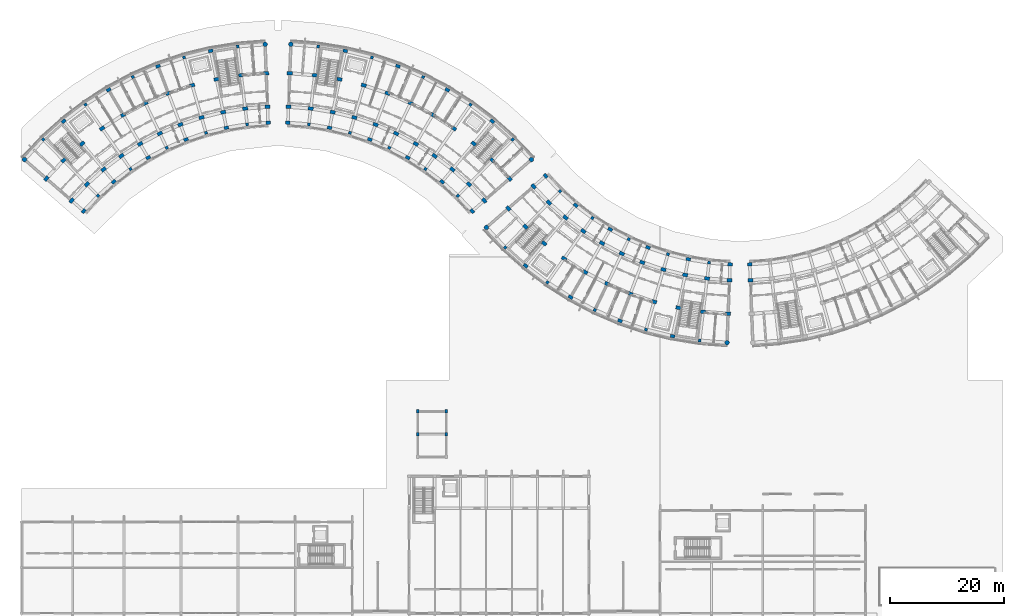
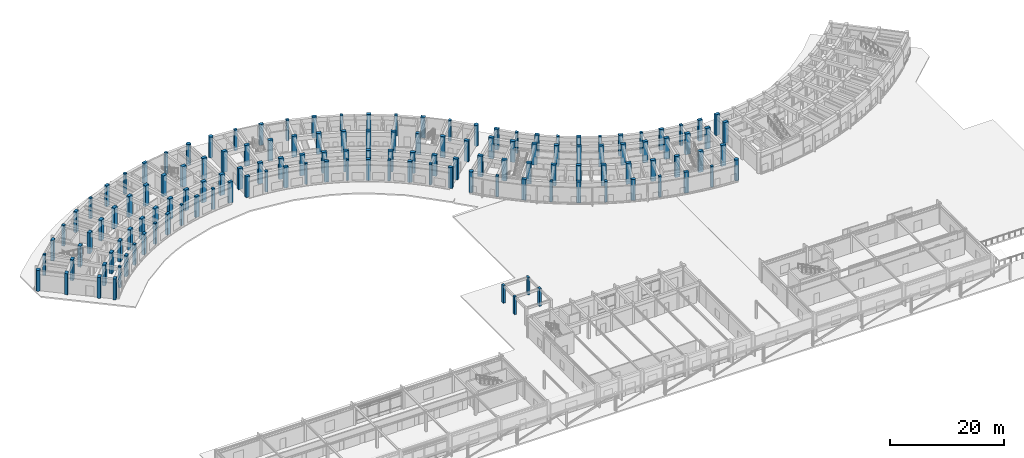
# One storey, part 6 of 61: 138 columns.
"""IFC4 building model written with IfcOpenShell, lengths in metres."""

import ifcopenshell
import ifcopenshell.guid

model = None  # the IFC model being written
_history = None  # IfcOwnerHistory: only IFC2X3 demands one
_inside = {}  # id of a spatial element -> (the spatial element, [elements in it])
_under = {}  # id of a project, library or spatial element -> (it, [spatial elements below it])
_declared = {}  # id of a project -> (the project, [libraries it declares])
_typed = {}  # id of a type object -> (the type object, [elements of that type])
_made_of = {}  # id of a material, layer set ... -> (it, [elements and type objects made of it])


def new_model(schema):
    """Start an empty IFC model of exactly this schema.

    Asked for "IFC4X3", IfcOpenShell would pick the latest addendum, in which some entities
    have other attributes; the version numbers below select the first issue.
    IFC2X3 requires an IfcOwnerHistory on every rooted entity: one is made here for all.
    """
    global model, _history
    if schema == "IFC4X3":
        model = ifcopenshell.file(schema_version=(4, 3, 0, 0))
    else:
        model = ifcopenshell.file(schema=schema)
    _inside.clear()
    _under.clear()
    _declared.clear()
    _typed.clear()
    _made_of.clear()
    _history = None
    if model.schema == "IFC2X3":
        org = make("IfcOrganization", Name="unknown")
        user = make(
            "IfcPersonAndOrganization",
            ThePerson=make("IfcPerson", FamilyName="unknown"),
            TheOrganization=org,
        )
        app = make(
            "IfcApplication",
            ApplicationDeveloper=org,
            Version="unknown",
            ApplicationFullName="unknown",
            ApplicationIdentifier="unknown",
        )
        _history = make(
            "IfcOwnerHistory",
            OwningUser=user,
            OwningApplication=app,
            ChangeAction="ADDED",
            CreationDate=0,
        )
    return model


def make(cls, **values):
    """One entity of the class cls with the attributes given. An attribute that is None is left unset."""
    return model.create_entity(
        cls, **{name: value for name, value in values.items() if value is not None}
    )


def rooted(cls, **values):
    """An entity with a GlobalId (a new one), such as an element, a storey or a relation."""
    return make(cls, GlobalId=ifcopenshell.guid.new(), OwnerHistory=_history, **values)


def si_unit(unit_type, name, prefix=None):
    """IfcSIUnit, for example si_unit("LENGTHUNIT", "METRE", prefix="MILLI")."""
    return make("IfcSIUnit", UnitType=unit_type, Prefix=prefix, Name=name)


def assignment(units):
    """IfcUnitAssignment: the units of a project."""
    return None if units is None else make("IfcUnitAssignment", Units=units)


def point(xyz):
    """IfcCartesianPoint."""
    return None if xyz is None else make("IfcCartesianPoint", Coordinates=xyz)


def direction(xyz):
    """IfcDirection."""
    return None if xyz is None else make("IfcDirection", DirectionRatios=xyz)


def frame(location, z_axis=None, x_axis=None):
    """IfcAxis2Placement3D, a coordinate frame: its origin and axes. An axis left out is left unset."""
    return make(
        "IfcAxis2Placement3D",
        Location=point(location),
        Axis=direction(z_axis),
        RefDirection=direction(x_axis),
    )


def frame_2d(location, x_axis=None):
    """IfcAxis2Placement2D, a coordinate frame in the plane: its origin and x axis."""
    return make(
        "IfcAxis2Placement2D", Location=point(location), RefDirection=direction(x_axis)
    )


def origin():
    """The frame at (0, 0, 0) with its axes left unset."""
    return frame((0.0, 0.0, 0.0))


def origin_2d():
    """The frame at (0, 0) in the plane with its x axis left unset."""
    return frame_2d((0.0, 0.0))


def place(relative_to, where):
    """IfcLocalPlacement: puts the frame where relative to a parent placement (None: the world)."""
    return make(
        "IfcLocalPlacement", PlacementRelTo=relative_to, RelativePlacement=where
    )


def context(
    kind, dimensions, precision=None, world=None, true_north=None, identifier=None
):
    """IfcGeometricRepresentationContext, for example the 3D "Model" context."""
    return make(
        "IfcGeometricRepresentationContext",
        ContextIdentifier=identifier,
        ContextType=kind,
        CoordinateSpaceDimension=dimensions,
        Precision=precision,
        WorldCoordinateSystem=world,
        TrueNorth=true_north,
    )


def subcontext(parent, identifier, kind, view, scale=None):
    """IfcGeometricRepresentationSubContext, for example "Body" below "Model"."""
    return make(
        "IfcGeometricRepresentationSubContext",
        ContextIdentifier=identifier,
        ContextType=kind,
        ParentContext=parent,
        TargetScale=scale,
        TargetView=view,
    )


def project(units=None, contexts=None):
    """IfcProject with its units and contexts."""
    return rooted(
        "IfcProject",
        Name="project",
        RepresentationContexts=contexts,
        UnitsInContext=assignment(units),
    )


def spatial(cls, under=None, at=None, **own):
    """A site, building, storey or space (cls), placed at a placement, below another one or the project."""
    s = rooted(cls, ObjectPlacement=at, **own)
    if under is not None:
        _under.setdefault(under.id(), (under, []))[1].append(s)
    return s


def profile(cls, at=None, kind="AREA", **sizes):
    """A parametric profile (cls). Its sizes go by their IFC names, for example OverallWidth=200.0."""
    return make(cls, ProfileType=kind, Position=at, **sizes)


def rectangle(**sizes):
    """IfcRectangleProfileDef."""
    return profile("IfcRectangleProfileDef", **sizes)


def circle(**sizes):
    """IfcCircleProfileDef."""
    return profile("IfcCircleProfileDef", **sizes)


def extrude(swept, where, along, depth):
    """IfcExtrudedAreaSolid: the profile swept, set in the frame where, extruded along a direction by depth."""
    return make(
        "IfcExtrudedAreaSolid",
        SweptArea=swept,
        Position=where,
        ExtrudedDirection=direction(along),
        Depth=depth,
    )


def shape(context_of_items, identifier, shape_type, items):
    """IfcShapeRepresentation: the items that make up one representation, for example the "Body"."""
    return make(
        "IfcShapeRepresentation",
        ContextOfItems=context_of_items,
        RepresentationIdentifier=identifier,
        RepresentationType=shape_type,
        Items=items,
    )


def material(Name=None, Category=None):
    """IfcMaterial."""
    return make("IfcMaterial", Name=Name, Category=Category)


def material_profile(
    of_material, cross_section, Name=None, Category=None, Priority=None
):
    """IfcMaterialProfile: a cross section and its material."""
    return make(
        "IfcMaterialProfile",
        Name=Name,
        Material=of_material,
        Profile=cross_section,
        Priority=Priority,
        Category=Category,
    )


def profile_set(profiles, Name=None, composite=None):
    """IfcMaterialProfileSet."""
    return make(
        "IfcMaterialProfileSet",
        Name=Name,
        MaterialProfiles=profiles,
        CompositeProfile=composite,
    )


def made_of(thing, what):
    """Note that an element or type object is made of a material, layer set ...; save() writes the relation."""
    if what is not None:
        _made_of.setdefault(what.id(), (what, []))[1].append(thing)
    return thing


def type_object(cls, material=None, **own):
    """A type object (cls), such as IfcWallType, which elements share."""
    return made_of(rooted(cls, **own), material)


def element(
    cls,
    number,
    at=None,
    inside=None,
    cuts=None,
    type_object=None,
    material=None,
    context=None,
    identifier="Body",
    shape_type=None,
    held_by="IfcProductDefinitionShape",
    body=None,
    shapes=None,
    **own,
):
    """One element of the class cls, such as IfcWall. Its Tag is "e" and its number.

    at: its placement. inside: the storey or other place that contains it. cuts: it is an
    opening in that element (IfcRelVoidsElement). A single representation is given by context,
    identifier, shape_type and body (its items); several are given by shapes. held_by: the class
    of the entity that holds the representations. save() writes the other relations.
    """
    e = rooted(cls, Tag="e%d" % number, ObjectPlacement=at, **own)
    if body is not None:
        shapes = [shape(context, identifier, shape_type, body)]
    if shapes is not None:
        e.Representation = make(held_by, Representations=shapes)
    if inside is not None:
        _inside.setdefault(inside.id(), (inside, []))[1].append(e)
    if cuts is not None:
        rooted(
            "IfcRelVoidsElement", RelatingBuildingElement=cuts, RelatedOpeningElement=e
        )
    if type_object is not None:
        _typed.setdefault(type_object.id(), (type_object, []))[1].append(e)
    return made_of(e, material)


def aggregate(whole, parts):
    """IfcRelAggregates: a whole, such as a stair, and the parts it consists of."""
    return rooted("IfcRelAggregates", RelatingObject=whole, RelatedObjects=parts)


def save(model, path):
    """Write the relations noted so far, then the file.

    IfcRelAggregates (storeys below a building ...), IfcRelContainedInSpatialStructure (elements
    in a storey), IfcRelDefinesByType, IfcRelAssociatesMaterial and IfcRelDeclares: one each for
    every whole, place, type object, material and project.
    """
    for whole, parts in _under.values():
        aggregate(whole, parts)
    for where, things in _inside.values():
        rooted(
            "IfcRelContainedInSpatialStructure",
            RelatedElements=things,
            RelatingStructure=where,
        )
    for kind, things in _typed.values():
        rooted("IfcRelDefinesByType", RelatedObjects=things, RelatingType=kind)
    for what, things in _made_of.values():
        rooted("IfcRelAssociatesMaterial", RelatedObjects=things, RelatingMaterial=what)
    for by, libraries in _declared.values():
        rooted("IfcRelDeclares", RelatingContext=by, RelatedDefinitions=libraries)
    model.write(path)


model = new_model("IFC4")

# Units and contexts
model_context = context("Model", 3, precision=1e-05, world=origin(), true_north=direction((0.0, 1.0)))
body_context = subcontext(model_context, "Body", "Model", "MODEL_VIEW")
ifc_project = project(units=[si_unit("LENGTHUNIT", "METRE"), si_unit("AREAUNIT", "SQUARE_METRE"), si_unit("VOLUMEUNIT", "CUBIC_METRE"), si_unit("PLANEANGLEUNIT", "RADIAN"), si_unit("MASSUNIT", "GRAM", prefix="KILO")], contexts=[model_context])

# Site, building, storey
site_placement = place(None, origin())
site = spatial("IfcSite", under=ifc_project, at=site_placement, CompositionType="ELEMENT")
building_placement = place(site_placement, origin())
building = spatial("IfcBuilding", under=site, at=building_placement, Name="Zimvara Arc Housing Community", CompositionType="ELEMENT")
storey_placement = place(building_placement, origin())
storey = spatial("IfcBuildingStorey", under=building, at=storey_placement, Name="L00", CompositionType="ELEMENT", Elevation=0.0)

# Columns
ifc_material_1 = material(Name="Concrete C40/50", Category="concrete")
ifc_material_profile_1 = material_profile(ifc_material_1, rectangle(XDim=0.5, YDim=0.5, at=origin_2d()), Name="RC 500x500")
ifc_profile_set_1 = profile_set([ifc_material_profile_1], Name="Concrete C40/50")
column_type_1 = type_object("IfcColumnType", Name="COL-RC-500x500", PredefinedType="COLUMN", material=ifc_profile_set_1)
for number, where, z_axis, x_axis, name in (
    (1, (13.476318359375, 76.781005859375, 0.0), (0.0, 0.0, 1.0), (-0.698665066769, 0.715448897181, 0.0), "col:blkA:L00:b1:r0"),
    (2, (3.862548828125, 86.625732421875, 0.0), (0.0, 0.0, 1.0), (-0.698665066769, 0.715448897181, 0.0), "col:blkA:L00:b1:r3"),
    (3, (19.14599609375, 81.478271484375, 0.0), (0.0, 0.0, 1.0), (-0.573004420611, 0.819552276527, 0.0), "col:blkA:L00:b3:r0"),
    (4, (11.261474609375, 92.755126953125, 0.0), (0.0, 0.0, 1.0), (-0.573004420611, 0.819552276527, 0.0), "col:blkA:L00:b3:r3"),
    (5, (25.50439453125, 85.190673828125, 0.0), (0.0, 0.0, 1.0), (-0.432085748802, 0.901832526405, 0.0), "col:blkA:L00:b5:r0"),
    (6, (19.558837890625, 97.599853515625, 0.0), (0.0, 0.0, 1.0), (-0.432085748802, 0.901832526405, 0.0), "col:blkA:L00:b5:r3"),
    (7, (32.381591796875, 87.819580078125, 0.0), (0.0, 0.0, 1.0), (-0.27966144946, 0.96009867914, 0.0), "col:blkA:L00:b7:r0"),
    (8, (28.533447265625, 101.030517578125, 0.0), (0.0, 0.0, 1.0), (-0.27966144946, 0.96009867914, 0.0), "col:blkA:L00:b7:r3"),
    (9, (39.594970703125, 89.295166015625, 0.0), (0.0, 0.0, 1.0), (-0.119790293837, 0.992799217114, 0.0), "col:blkA:L00:b9:r0"),
    (10, (37.94677734375, 102.9560546875, 0.0), (0.0, 0.0, 1.0), (-0.119790293837, 0.992799217114, 0.0), "col:blkA:L00:b9:r3"),
    (11, (50.405029296875, 89.295166015625, 0.0), (0.0, 0.0, 1.0), (0.119790293837, 0.992799217114, 0.0), "col:blkB:L00:b1:r0"),
    (12, (52.05322265625, 102.9560546875, 0.0), (0.0, 0.0, 1.0), (0.119790293837, 0.992799217114, 0.0), "col:blkB:L00:b1:r3"),
    (13, (57.618408203125, 87.819580078125, 0.0), (0.0, 0.0, 1.0), (0.27966144946, 0.96009867914, 0.0), "col:blkB:L00:b3:r0"),
    (14, (61.466552734375, 101.030517578125, 0.0), (0.0, 0.0, 1.0), (0.27966144946, 0.96009867914, 0.0), "col:blkB:L00:b3:r3"),
    (15, (64.49560546875, 85.190673828125, 0.0), (0.0, 0.0, 1.0), (0.432085748802, 0.901832526405, 0.0), "col:blkB:L00:b5:r0"),
    (16, (70.441162109375, 97.599853515625, 0.0), (0.0, 0.0, 1.0), (0.432085748802, 0.901832526405, 0.0), "col:blkB:L00:b5:r3"),
    (17, (70.85400390625, 81.478271484375, 0.0), (0.0, 0.0, 1.0), (0.573004420611, 0.819552276527, 0.0), "col:blkB:L00:b7:r0"),
    (18, (78.738525390625, 92.755126953125, 0.0), (0.0, 0.0, 1.0), (0.573004420611, 0.819552276527, 0.0), "col:blkB:L00:b7:r3"),
    (19, (76.523681640625, 76.781005859375, 0.0), (0.0, 0.0, 1.0), (0.698665066769, 0.715448897181, 0.0), "col:blkB:L00:b9:r0"),
    (20, (86.137451171875, 86.625732421875, 0.0), (0.0, 0.0, 1.0), (0.698665066769, 0.715448897181, 0.0), "col:blkB:L00:b9:r3"),
    (21, (94.456298828125, 77.578857421875, 0.0), (0.0, 0.0, 1.0), (-0.698665066769, -0.715448897181, 0.0), "col:blkC:L00:b1:r0"),
    (22, (84.842529296875, 67.734375, 0.0), (0.0, 0.0, 1.0), (-0.698665066769, -0.715448897181, 0.0), "col:blkC:L00:b1:r3"),
    (23, (100.1259765625, 72.8818359375, 0.0), (0.0, 0.0, 1.0), (-0.573004420611, -0.819552276527, 0.0), "col:blkC:L00:b3:r0"),
    (24, (92.241455078125, 61.604736328125, 0.0), (0.0, 0.0, 1.0), (-0.573004420611, -0.819552276527, 0.0), "col:blkC:L00:b3:r3"),
    (25, (106.484375, 69.16943359375, 0.0), (0.0, 0.0, 1.0), (-0.432085748802, -0.901832526405, 0.0), "col:blkC:L00:b5:r0"),
    (26, (100.538818359375, 56.760009765625, 0.0), (0.0, 0.0, 1.0), (-0.432085748802, -0.901832526405, 0.0), "col:blkC:L00:b5:r3"),
    (27, (113.361572265625, 66.540283203125, 0.0), (0.0, 0.0, 1.0), (-0.27966144946, -0.96009867914, 0.0), "col:blkC:L00:b7:r0"),
    (28, (109.513427734375, 53.329345703125, 0.0), (0.0, 0.0, 1.0), (-0.27966144946, -0.96009867914, 0.0), "col:blkC:L00:b7:r3"),
    (29, (120.574951171875, 65.06494140625, 0.0), (0.0, 0.0, 1.0), (-0.119790293837, -0.992799217114, 0.0), "col:blkC:L00:b9:r0"),
    (30, (118.9267578125, 51.404052734375, 0.0), (0.0, 0.0, 1.0), (-0.119790293837, -0.992799217114, 0.0), "col:blkC:L00:b9:r3"),
):
    element("IfcColumn", number, at=place(storey_placement, frame(where, z_axis=z_axis, x_axis=x_axis)), inside=storey, type_object=column_type_1, Name=name, PredefinedType="COLUMN", context=body_context, shape_type="SweptSolid", body=[
        extrude(rectangle(XDim=0.5, YDim=0.5, at=origin_2d()), origin(), (0.0, 0.0, 1.0), 4.5),
    ])
ifc_material_2 = material(Name="Concrete C40/50", Category="concrete")
ifc_material_profile_2 = material_profile(ifc_material_2, rectangle(XDim=0.550048828125, YDim=0.800048828125, at=origin_2d()), Name="RC 550x800")
ifc_profile_set_2 = profile_set([ifc_material_profile_2], Name="Concrete C40/50")
column_type_2 = type_object("IfcColumnType", Name="COL-RC-550x800", PredefinedType="COLUMN", material=ifc_profile_set_2)
for number, where, z_axis, x_axis, name in (
    (31, (10.947509765625, 74.101318359375, 0.0), (0.0, 0.0, 1.0), (-0.754709580223, 0.656059028991, 0.0), "col:blkA:L00:b0:r0"),
    (32, (16.215087890625, 79.245361328125, 0.0), (0.0, 0.0, 1.0), (-0.637961754089, 0.770068049148, 0.0), "col:blkA:L00:b2:r0"),
    (33, (7.436767578125, 89.841552734375, 0.0), (0.0, 0.0, 1.0), (-0.637961754089, 0.770068049148, 0.0), "col:blkA:L00:b2:r3"),
    (34, (22.249267578125, 83.46435546875, 0.0), (0.0, 0.0, 1.0), (-0.504226211181, 0.863571611366, 0.0), "col:blkA:L00:b4:r0"),
    (35, (15.311279296875, 95.34716796875, 0.0), (0.0, 0.0, 1.0), (-0.504226211181, 0.863571611366, 0.0), "col:blkA:L00:b4:r3"),
    (36, (28.88916015625, 86.645751953125, 0.0), (0.0, 0.0, 1.0), (-0.357064076459, 0.934079892355, 0.0), "col:blkA:L00:b6:r0"),
    (37, (23.97607421875, 99.49853515625, 0.0), (0.0, 0.0, 1.0), (-0.357064076459, 0.934079892355, 0.0), "col:blkA:L00:b6:r3"),
    (38, (35.958251953125, 88.704833984375, 0.0), (0.0, 0.0, 1.0), (-0.200393999665, 0.979715389742, 0.0), "col:blkA:L00:b8:r0"),
    (39, (33.20068359375, 102.185546875, 0.0), (0.0, 0.0, 1.0), (-0.200393999665, 0.979715389742, 0.0), "col:blkA:L00:b8:r3"),
    (40, (43.267822265625, 89.586669921875, 0.0), (0.0, 0.0, 1.0), (-0.038387809088, 0.999262916411, 0.0), "col:blkA:L00:b10:r0"),
    (41, (46.732177734375, 89.586669921875, 0.0), (0.0, 0.0, 1.0), (0.038387809088, 0.999262916411, 0.0), "col:blkB:L00:b0:r0"),
    (42, (54.041748046875, 88.704833984375, 0.0), (0.0, 0.0, 1.0), (0.200393999665, 0.979715389742, 0.0), "col:blkB:L00:b2:r0"),
    (43, (56.79931640625, 102.185546875, 0.0), (0.0, 0.0, 1.0), (0.200393999665, 0.979715389742, 0.0), "col:blkB:L00:b2:r3"),
    (44, (61.11083984375, 86.645751953125, 0.0), (0.0, 0.0, 1.0), (0.357064076459, 0.934079892355, 0.0), "col:blkB:L00:b4:r0"),
    (45, (66.02392578125, 99.49853515625, 0.0), (0.0, 0.0, 1.0), (0.357064076459, 0.934079892355, 0.0), "col:blkB:L00:b4:r3"),
    (46, (67.750732421875, 83.46435546875, 0.0), (0.0, 0.0, 1.0), (0.504226211181, 0.863571611366, 0.0), "col:blkB:L00:b6:r0"),
    (47, (74.688720703125, 95.34716796875, 0.0), (0.0, 0.0, 1.0), (0.504226211181, 0.863571611366, 0.0), "col:blkB:L00:b6:r3"),
    (48, (73.784912109375, 79.245361328125, 0.0), (0.0, 0.0, 1.0), (0.637961754089, 0.770068049148, 0.0), "col:blkB:L00:b8:r0"),
    (49, (82.563232421875, 89.841552734375, 0.0), (0.0, 0.0, 1.0), (0.637961754089, 0.770068049148, 0.0), "col:blkB:L00:b8:r3"),
    (50, (79.052490234375, 74.101318359375, 0.0), (0.0, 0.0, 1.0), (0.754709580223, 0.656059028991, 0.0), "col:blkB:L00:b10:r0"),
    (51, (91.927490234375, 80.258544921875, 0.0), (0.0, 0.0, 1.0), (-0.754709580223, -0.656059028991, 0.0), "col:blkC:L00:b0:r0"),
    (52, (97.195068359375, 75.114501953125, 0.0), (0.0, 0.0, 1.0), (-0.637961754089, -0.770068049148, 0.0), "col:blkC:L00:b2:r0"),
    (53, (88.416748046875, 64.518310546875, 0.0), (0.0, 0.0, 1.0), (-0.637961754089, -0.770068049148, 0.0), "col:blkC:L00:b2:r3"),
    (54, (103.229248046875, 70.895751953125, 0.0), (0.0, 0.0, 1.0), (-0.504226211181, -0.863571611366, 0.0), "col:blkC:L00:b4:r0"),
    (55, (96.291259765625, 59.012939453125, 0.0), (0.0, 0.0, 1.0), (-0.504226211181, -0.863571611366, 0.0), "col:blkC:L00:b4:r3"),
    (56, (109.869384765625, 67.71435546875, 0.0), (0.0, 0.0, 1.0), (-0.357064076459, -0.934079892355, 0.0), "col:blkC:L00:b6:r0"),
    (57, (104.9560546875, 54.861328125, 0.0), (0.0, 0.0, 1.0), (-0.357064076459, -0.934079892355, 0.0), "col:blkC:L00:b6:r3"),
    (58, (116.938232421875, 65.6552734375, 0.0), (0.0, 0.0, 1.0), (-0.200393999665, -0.979715389742, 0.0), "col:blkC:L00:b8:r0"),
    (59, (114.180908203125, 52.17431640625, 0.0), (0.0, 0.0, 1.0), (-0.200393999665, -0.979715389742, 0.0), "col:blkC:L00:b8:r3"),
    (60, (124.248046875, 64.773193359375, 0.0), (0.0, 0.0, 1.0), (-0.038387809088, -0.999262916411, 0.0), "col:blkC:L00:b10:r0"),
    (61, (127.712158203125, 64.773193359375, 0.0), (0.0, 0.0, 1.0), (0.038387809088, -0.999262916411, 0.0), "col:blkD:L00:b0:r0"),
):
    element("IfcColumn", number, at=place(storey_placement, frame(where, z_axis=z_axis, x_axis=x_axis)), inside=storey, type_object=column_type_2, Name=name, PredefinedType="COLUMN", context=body_context, shape_type="SweptSolid", body=[
        extrude(rectangle(XDim=0.550048828125, YDim=0.800048828125, at=origin_2d()), origin(), (0.0, 0.0, 1.0), 4.5),
    ])
ifc_material_3 = material(Name="Concrete C40/50", Category="concrete")
ifc_material_profile_3 = material_profile(ifc_material_3, rectangle(XDim=0.60009765625, YDim=0.89990234375, at=origin_2d()), Name="RC 600x900")
ifc_profile_set_3 = profile_set([ifc_material_profile_3], Name="Concrete C40/50")
column_type_3 = type_object("IfcColumnType", Name="COL-RC-600x900", PredefinedType="COLUMN", material=ifc_profile_set_3)
for number, where, z_axis, x_axis, name in (
    (62, (8.834228515625, 75.938232421875, 0.0), (0.0, 0.0, 1.0), (-0.754709580223, 0.656059028991, 0.0), "col:blkA:L00:b0:r1"),
    (63, (4.396728515625, 79.7958984375, 0.0), (0.0, 0.0, 1.0), (-0.754709580223, 0.656059028991, 0.0), "col:blkA:L00:b0:r2"),
    (64, (11.52001953125, 78.784423828125, 0.0), (0.0, 0.0, 1.0), (-0.698665066769, 0.715448897181, 0.0), "col:blkA:L00:b1:r1"),
    (65, (7.411865234375, 82.9912109375, 0.0), (0.0, 0.0, 1.0), (-0.698665066769, 0.715448897181, 0.0), "col:blkA:L00:b1:r2"),
    (66, (14.428955078125, 81.401611328125, 0.0), (0.0, 0.0, 1.0), (-0.637961754089, 0.770068049148, 0.0), "col:blkA:L00:b2:r1"),
    (67, (10.677734375, 85.9296875, 0.0), (0.0, 0.0, 1.0), (-0.637961754089, 0.770068049148, 0.0), "col:blkA:L00:b2:r2"),
    (68, (17.541748046875, 83.77294921875, 0.0), (0.0, 0.0, 1.0), (-0.573004420611, 0.819552276527, 0.0), "col:blkA:L00:b3:r1"),
    (69, (14.17236328125, 88.591796875, 0.0), (0.0, 0.0, 1.0), (-0.573004420611, 0.819552276527, 0.0), "col:blkA:L00:b3:r2"),
    (70, (20.83740234375, 85.88232421875, 0.0), (0.0, 0.0, 1.0), (-0.504226211181, 0.863571611366, 0.0), "col:blkA:L00:b4:r1"),
    (71, (17.87255859375, 90.960205078125, 0.0), (0.0, 0.0, 1.0), (-0.504226211181, 0.863571611366, 0.0), "col:blkA:L00:b4:r2"),
    (72, (24.29443359375, 87.7158203125, 0.0), (0.0, 0.0, 1.0), (-0.432085748802, 0.901832526405, 0.0), "col:blkA:L00:b5:r1"),
    (73, (21.75390625, 93.0185546875, 0.0), (0.0, 0.0, 1.0), (-0.432085748802, 0.901832526405, 0.0), "col:blkA:L00:b5:r2"),
    (74, (27.889404296875, 89.260986328125, 0.0), (0.0, 0.0, 1.0), (-0.357064076459, 0.934079892355, 0.0), "col:blkA:L00:b6:r1"),
    (75, (25.7900390625, 94.75341796875, 0.0), (0.0, 0.0, 1.0), (-0.357064076459, 0.934079892355, 0.0), "col:blkA:L00:b6:r2"),
    (76, (31.5986328125, 90.5078125, 0.0), (0.0, 0.0, 1.0), (-0.27966144946, 0.96009867914, 0.0), "col:blkA:L00:b7:r1"),
    (77, (29.9541015625, 96.1533203125, 0.0), (0.0, 0.0, 1.0), (-0.27966144946, 0.96009867914, 0.0), "col:blkA:L00:b7:r2"),
    (78, (35.397216796875, 91.447998046875, 0.0), (0.0, 0.0, 1.0), (-0.200393999665, 0.979715389742, 0.0), "col:blkA:L00:b8:r1"),
    (79, (34.21875, 97.208740234375, 0.0), (0.0, 0.0, 1.0), (-0.200393999665, 0.979715389742, 0.0), "col:blkA:L00:b8:r2"),
    (80, (39.259765625, 92.074951171875, 0.0), (0.0, 0.0, 1.0), (-0.119790293837, 0.992799217114, 0.0), "col:blkA:L00:b9:r1"),
    (81, (38.55517578125, 97.91259765625, 0.0), (0.0, 0.0, 1.0), (-0.119790293837, 0.992799217114, 0.0), "col:blkA:L00:b9:r2"),
    (82, (43.160400390625, 92.384765625, 0.0), (0.0, 0.0, 1.0), (-0.038387809088, 0.999262916411, 0.0), "col:blkA:L00:b10:r1"),
    (83, (42.934814453125, 98.26025390625, 0.0), (0.0, 0.0, 1.0), (-0.038387809088, 0.999262916411, 0.0), "col:blkA:L00:b10:r2"),
    (84, (46.839599609375, 92.384765625, 0.0), (0.0, 0.0, 1.0), (0.038387809088, 0.999262916411, 0.0), "col:blkB:L00:b0:r1"),
    (85, (47.065185546875, 98.26025390625, 0.0), (0.0, 0.0, 1.0), (0.038387809088, 0.999262916411, 0.0), "col:blkB:L00:b0:r2"),
    (86, (50.740234375, 92.074951171875, 0.0), (0.0, 0.0, 1.0), (0.119790293837, 0.992799217114, 0.0), "col:blkB:L00:b1:r1"),
    (87, (51.44482421875, 97.91259765625, 0.0), (0.0, 0.0, 1.0), (0.119790293837, 0.992799217114, 0.0), "col:blkB:L00:b1:r2"),
    (88, (54.602783203125, 91.447998046875, 0.0), (0.0, 0.0, 1.0), (0.200393999665, 0.979715389742, 0.0), "col:blkB:L00:b2:r1"),
    (89, (55.78125, 97.208740234375, 0.0), (0.0, 0.0, 1.0), (0.200393999665, 0.979715389742, 0.0), "col:blkB:L00:b2:r2"),
    (90, (58.4013671875, 90.5078125, 0.0), (0.0, 0.0, 1.0), (0.27966144946, 0.96009867914, 0.0), "col:blkB:L00:b3:r1"),
    (91, (60.0458984375, 96.1533203125, 0.0), (0.0, 0.0, 1.0), (0.27966144946, 0.96009867914, 0.0), "col:blkB:L00:b3:r2"),
    (92, (62.110595703125, 89.260986328125, 0.0), (0.0, 0.0, 1.0), (0.357064076459, 0.934079892355, 0.0), "col:blkB:L00:b4:r1"),
    (93, (64.2099609375, 94.75341796875, 0.0), (0.0, 0.0, 1.0), (0.357064076459, 0.934079892355, 0.0), "col:blkB:L00:b4:r2"),
    (94, (65.70556640625, 87.7158203125, 0.0), (0.0, 0.0, 1.0), (0.432085748802, 0.901832526405, 0.0), "col:blkB:L00:b5:r1"),
    (95, (68.24609375, 93.0185546875, 0.0), (0.0, 0.0, 1.0), (0.432085748802, 0.901832526405, 0.0), "col:blkB:L00:b5:r2"),
    (96, (69.16259765625, 85.88232421875, 0.0), (0.0, 0.0, 1.0), (0.504226211181, 0.863571611366, 0.0), "col:blkB:L00:b6:r1"),
    (97, (72.12744140625, 90.960205078125, 0.0), (0.0, 0.0, 1.0), (0.504226211181, 0.863571611366, 0.0), "col:blkB:L00:b6:r2"),
    (98, (72.458251953125, 83.77294921875, 0.0), (0.0, 0.0, 1.0), (0.573004420611, 0.819552276527, 0.0), "col:blkB:L00:b7:r1"),
    (99, (75.82763671875, 88.591796875, 0.0), (0.0, 0.0, 1.0), (0.573004420611, 0.819552276527, 0.0), "col:blkB:L00:b7:r2"),
    (100, (75.571044921875, 81.401611328125, 0.0), (0.0, 0.0, 1.0), (0.637961754089, 0.770068049148, 0.0), "col:blkB:L00:b8:r1"),
    (101, (79.322265625, 85.9296875, 0.0), (0.0, 0.0, 1.0), (0.637961754089, 0.770068049148, 0.0), "col:blkB:L00:b8:r2"),
    (102, (78.47998046875, 78.784423828125, 0.0), (0.0, 0.0, 1.0), (0.698665066769, 0.715448897181, 0.0), "col:blkB:L00:b9:r1"),
    (103, (82.588134765625, 82.9912109375, 0.0), (0.0, 0.0, 1.0), (0.698665066769, 0.715448897181, 0.0), "col:blkB:L00:b9:r2"),
    (104, (81.165771484375, 75.938232421875, 0.0), (0.0, 0.0, 1.0), (0.754709580223, 0.656059028991, 0.0), "col:blkB:L00:b10:r1"),
    (105, (85.603271484375, 79.7958984375, 0.0), (0.0, 0.0, 1.0), (0.754709580223, 0.656059028991, 0.0), "col:blkB:L00:b10:r2"),
    (106, (89.814208984375, 78.421630859375, 0.0), (0.0, 0.0, 1.0), (-0.754709580223, -0.656059028991, 0.0), "col:blkC:L00:b0:r1"),
    (107, (85.376708984375, 74.56396484375, 0.0), (0.0, 0.0, 1.0), (-0.754709580223, -0.656059028991, 0.0), "col:blkC:L00:b0:r2"),
    (108, (92.5, 75.57568359375, 0.0), (0.0, 0.0, 1.0), (-0.698665066769, -0.715448897181, 0.0), "col:blkC:L00:b1:r1"),
    (109, (88.391845703125, 71.368896484375, 0.0), (0.0, 0.0, 1.0), (-0.698665066769, -0.715448897181, 0.0), "col:blkC:L00:b1:r2"),
    (110, (95.408935546875, 72.958251953125, 0.0), (0.0, 0.0, 1.0), (-0.637961754089, -0.770068049148, 0.0), "col:blkC:L00:b2:r1"),
    (111, (91.65771484375, 68.430419921875, 0.0), (0.0, 0.0, 1.0), (-0.637961754089, -0.770068049148, 0.0), "col:blkC:L00:b2:r2"),
    (112, (98.521728515625, 70.587158203125, 0.0), (0.0, 0.0, 1.0), (-0.573004420611, -0.819552276527, 0.0), "col:blkC:L00:b3:r1"),
    (113, (95.15234375, 65.76806640625, 0.0), (0.0, 0.0, 1.0), (-0.573004420611, -0.819552276527, 0.0), "col:blkC:L00:b3:r2"),
    (114, (101.8173828125, 68.4775390625, 0.0), (0.0, 0.0, 1.0), (-0.504226211181, -0.863571611366, 0.0), "col:blkC:L00:b4:r1"),
    (115, (98.8525390625, 63.39990234375, 0.0), (0.0, 0.0, 1.0), (-0.504226211181, -0.863571611366, 0.0), "col:blkC:L00:b4:r2"),
    (116, (105.2744140625, 66.644287109375, 0.0), (0.0, 0.0, 1.0), (-0.432085748802, -0.901832526405, 0.0), "col:blkC:L00:b5:r1"),
    (117, (102.73388671875, 61.34130859375, 0.0), (0.0, 0.0, 1.0), (-0.432085748802, -0.901832526405, 0.0), "col:blkC:L00:b5:r2"),
    (118, (108.869384765625, 65.098876953125, 0.0), (0.0, 0.0, 1.0), (-0.357064076459, -0.934079892355, 0.0), "col:blkC:L00:b6:r1"),
    (119, (106.77001953125, 59.6064453125, 0.0), (0.0, 0.0, 1.0), (-0.357064076459, -0.934079892355, 0.0), "col:blkC:L00:b6:r2"),
    (120, (112.57861328125, 63.85205078125, 0.0), (0.0, 0.0, 1.0), (-0.27966144946, -0.96009867914, 0.0), "col:blkC:L00:b7:r1"),
    (121, (110.934326171875, 58.206787109375, 0.0), (0.0, 0.0, 1.0), (-0.27966144946, -0.96009867914, 0.0), "col:blkC:L00:b7:r2"),
    (122, (116.377197265625, 62.912109375, 0.0), (0.0, 0.0, 1.0), (-0.200393999665, -0.979715389742, 0.0), "col:blkC:L00:b8:r1"),
    (123, (115.19873046875, 57.1513671875, 0.0), (0.0, 0.0, 1.0), (-0.200393999665, -0.979715389742, 0.0), "col:blkC:L00:b8:r2"),
    (124, (120.23974609375, 62.28515625, 0.0), (0.0, 0.0, 1.0), (-0.119790293837, -0.992799217114, 0.0), "col:blkC:L00:b9:r1"),
    (125, (119.535400390625, 56.447509765625, 0.0), (0.0, 0.0, 1.0), (-0.119790293837, -0.992799217114, 0.0), "col:blkC:L00:b9:r2"),
    (126, (124.140380859375, 61.975341796875, 0.0), (0.0, 0.0, 1.0), (-0.038387809088, -0.999262916411, 0.0), "col:blkC:L00:b10:r1"),
    (127, (123.914794921875, 56.099609375, 0.0), (0.0, 0.0, 1.0), (-0.038387809088, -0.999262916411, 0.0), "col:blkC:L00:b10:r2"),
    (128, (127.819580078125, 61.975341796875, 0.0), (0.0, 0.0, 1.0), (0.038387809088, -0.999262916411, 0.0), "col:blkD:L00:b0:r1"),
):
    element("IfcColumn", number, at=place(storey_placement, frame(where, z_axis=z_axis, x_axis=x_axis)), inside=storey, type_object=column_type_3, Name=name, PredefinedType="COLUMN", context=body_context, shape_type="SweptSolid", body=[
        extrude(rectangle(XDim=0.60009765625, YDim=0.89990234375, at=origin_2d()), origin(), (0.0, 0.0, 1.0), 4.5),
    ])
ifc_material_4 = material(Name="Concrete C40/50", Category="concrete")
ifc_material_profile_4 = material_profile(ifc_material_4, circle(Radius=0.39990234375, at=origin_2d()), Name="RC D800")
ifc_profile_set_4 = profile_set([ifc_material_profile_4], Name="Concrete C40/50")
column_type_4 = type_object("IfcColumnType", Name="COL-RC-D700", PredefinedType="COLUMN", material=ifc_profile_set_4)
for number, where, z_axis, x_axis, name in (
    (129, (0.562744140625, 83.128662109375, 0.0), (0.0, 0.0, 1.0), (-0.754709580223, 0.656059028991, 0.0), "col:blkA:L00:b0:r3"),
    (130, (42.73974609375, 103.336669921875, 0.0), (0.0, 0.0, 1.0), (-0.038387809088, 0.999262916411, 0.0), "col:blkA:L00:b10:r3"),
    (131, (47.26025390625, 103.336669921875, 0.0), (0.0, 0.0, 1.0), (0.038387809088, 0.999262916411, 0.0), "col:blkB:L00:b0:r3"),
    (132, (89.437255859375, 83.128662109375, 0.0), (0.0, 0.0, 1.0), (0.754709580223, 0.656059028991, 0.0), "col:blkB:L00:b10:r3"),
    (133, (81.542724609375, 71.231201171875, 0.0), (0.0, 0.0, 1.0), (-0.754709580223, -0.656059028991, 0.0), "col:blkC:L00:b0:r3"),
    (134, (123.7197265625, 51.0234375, 0.0), (0.0, 0.0, 1.0), (-0.038387809088, -0.999262916411, 0.0), "col:blkC:L00:b10:r3"),
):
    element("IfcColumn", number, at=place(storey_placement, frame(where, z_axis=z_axis, x_axis=x_axis)), inside=storey, type_object=column_type_4, Name=name, PredefinedType="COLUMN", context=body_context, shape_type="SweptSolid", body=[
        extrude(circle(Radius=0.39990234375, at=origin_2d()), origin(), (0.0, 0.0, 1.0), 4.5),
    ])
ifc_material_5 = material(Name="Concrete C40/50", Category="concrete")
ifc_material_profile_5 = material_profile(ifc_material_5, rectangle(XDim=0.39990234375, YDim=0.60009765625, at=origin_2d()), Name="RC 400x600")
ifc_profile_set_5 = profile_set([ifc_material_profile_5], Name="Concrete C40/50")
column_type_5 = type_object("IfcColumnType", Name="COL-RC-PIL-400x550", PredefinedType="PILASTER", material=ifc_profile_set_5)
for number, where, z_axis, x_axis, name in (
    (135, (69.5, 35.0, 0.0), (0.0, 0.0, 1.0), (1.0, 0.0, 0.0), "col:pil:L00:3"),
    (136, (74.5, 35.0, 0.0), (0.0, 0.0, 1.0), (1.0, 0.0, 0.0), "col:pil:L00:4"),
    (137, (69.5, 39.0, 0.0), (0.0, 0.0, 1.0), (1.0, 0.0, 0.0), "col:pil:L00:5"),
    (138, (74.5, 39.0, 0.0), (0.0, 0.0, 1.0), (1.0, 0.0, 0.0), "col:pil:L00:6"),
):
    element("IfcColumn", number, at=place(storey_placement, frame(where, z_axis=z_axis, x_axis=x_axis)), inside=storey, type_object=column_type_5, Name=name, PredefinedType="PILASTER", context=body_context, shape_type="SweptSolid", body=[
        extrude(rectangle(XDim=0.39990234375, YDim=0.60009765625, at=origin_2d()), origin(), (0.0, 0.0, 1.0), 3.800048828125),
    ])

save(model, "model.ifc")
